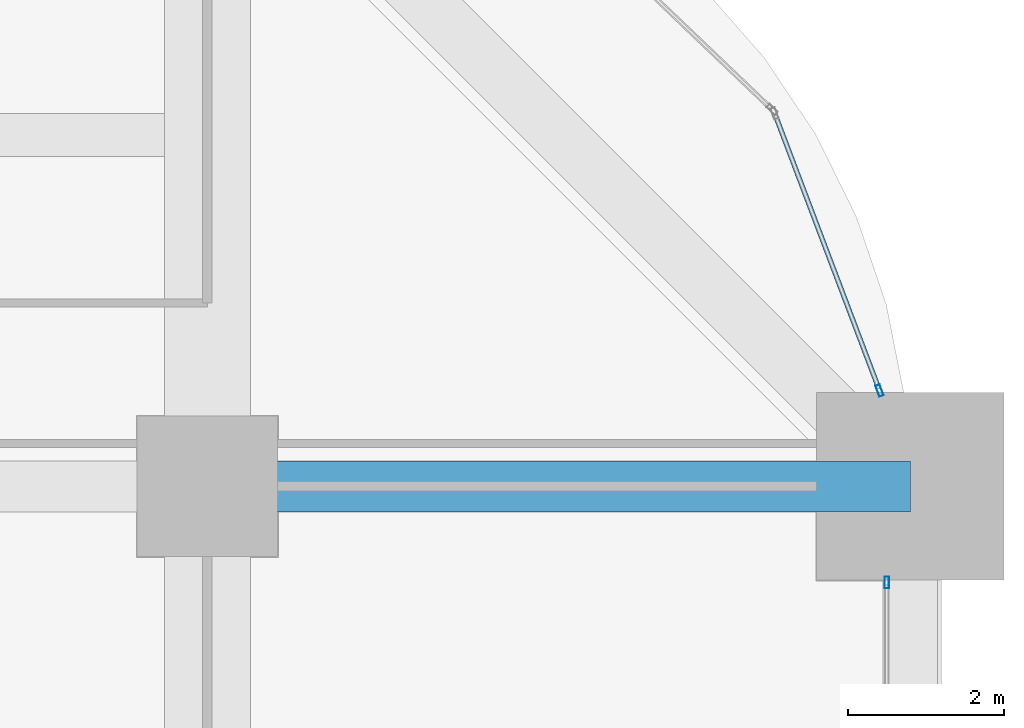
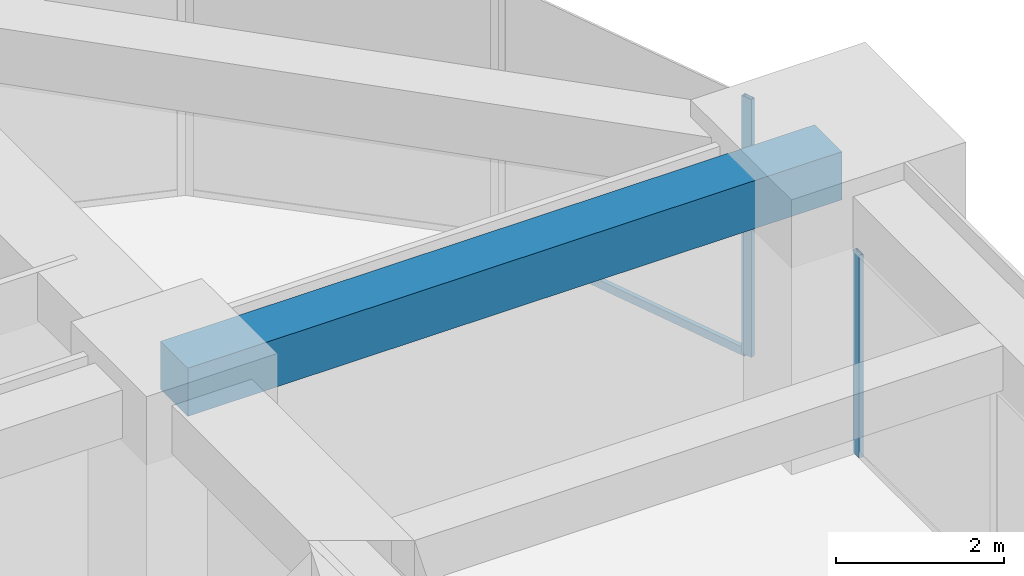
# One storey, part 32 of 40: 3 members, 1 beam, 2 elements without a shape of their own.
"""IFC4 building model written with IfcOpenShell, lengths in metres."""

from ifc_helpers import new_model, si_unit, direction, frame, origin, origin_2d, place, context, subcontext, project, spatial, rectangle, hollow_rectangle, extrude, material, material_profile, profile_set, type_object, element, aggregate, save


model = new_model("IFC4")

# Units and contexts
model_context = context("Model", 3, precision=1e-05, world=origin(), true_north=direction((0.0, 1.0)))
body_context = subcontext(model_context, "Body", "Model", "MODEL_VIEW")
ifc_project = project(units=[si_unit("LENGTHUNIT", "METRE"), si_unit("AREAUNIT", "SQUARE_METRE"), si_unit("VOLUMEUNIT", "CUBIC_METRE"), si_unit("PLANEANGLEUNIT", "RADIAN"), si_unit("MASSUNIT", "GRAM", prefix="KILO")], contexts=[model_context])

# Site, building, storey
site_placement = place(None, origin())
site = spatial("IfcSite", under=ifc_project, at=site_placement, CompositionType="ELEMENT")
building_placement = place(site_placement, origin())
building = spatial("IfcBuilding", under=site, at=building_placement, Name="Zorevar Civic Tower", CompositionType="ELEMENT")
storey_placement = place(building_placement, frame((0.0, 0.0, 133.0)))
storey = spatial("IfcBuildingStorey", under=building, at=storey_placement, Name="L32", CompositionType="ELEMENT", Elevation=133.0)

# Beam
ifc_material_1 = material(Name="Concrete C50/60", Category="concrete")
ifc_material_profile_1 = material_profile(ifc_material_1, rectangle(XDim=0.64990234375, YDim=0.699951171875, at=origin_2d()), Name="RC 650x700")
ifc_profile_set_1 = profile_set([ifc_material_profile_1], Name="Concrete C50/60")
beam_type = type_object("IfcBeamType", Name="Beam RC 650x700", PredefinedType="BEAM", material=ifc_profile_set_1)
beam_placement = place(storey_placement, frame((54.0, 36.0, 3.39990234375), z_axis=(1.0, 0.0, 0.0), x_axis=(0.0, 1.0, 0.0)))
element("IfcBeam", 1, at=beam_placement, inside=storey, type_object=beam_type, Name="Girder L33", PredefinedType="BEAM", context=body_context, shape_type="SweptSolid", body=[
    extrude(rectangle(XDim=0.64990234375, YDim=0.699951171875, at=origin_2d()), origin(), (0.0, 0.0, 1.0), 9.0),
])

# Curtain wall, member
ifc_material_2 = material(Name="Dark grey solar-control glass in black aluminium frame", Category="aluminium")
curtain_wall_type = type_object("IfcCurtainWallType", Name="Curtain wall CW3 mid zone", PredefinedType="NOTDEFINED", material=ifc_material_2)
curtain_wall_1_placement = place(storey_placement, origin())
curtain_wall_1 = element("IfcCurtainWall", 2, at=curtain_wall_1_placement, inside=storey, type_object=curtain_wall_type, Name="CW3 L32", PredefinedType="NOTDEFINED")
ifc_material_3 = material(Name="Aluminium, black anodised", Category="aluminium")
ifc_material_profile_2 = material_profile(ifc_material_3, hollow_rectangle(XDim=0.06005859375, YDim=0.14990234375, WallThickness=0.00390625, at=origin_2d()), Name="AL 150x60x4")
ifc_profile_set_2 = profile_set([ifc_material_profile_2], Name="Aluminium, black anodised")
member_type_1 = type_object("IfcMemberType", Name="CW3 mullion AL 150x60x4", PredefinedType="MULLION", material=ifc_profile_set_2)
member_1_placement = place(storey_placement, frame((62.699951171875, 34.77001953125, 0.0), z_axis=(0.0, 0.0, 1.0), x_axis=(-1.0, 0.0, 0.0)))
member_1 = element("IfcMember", 3, at=member_1_placement, type_object=member_type_1, Name="CW3 mullion 3", PredefinedType="MULLION", context=body_context, shape_type="SweptSolid", body=[
    extrude(hollow_rectangle(XDim=0.06005859375, YDim=0.14990234375, WallThickness=0.00390625, at=origin_2d()), origin(), (0.0, 0.0, 1.0), 2.949951171875),
])
aggregate(curtain_wall_1, [member_1])

# Curtain wall, members
curtain_wall_2_placement = place(storey_placement, origin())
curtain_wall_2 = element("IfcCurtainWall", 4, at=curtain_wall_2_placement, inside=storey, type_object=curtain_wall_type, Name="CW3 L32", PredefinedType="NOTDEFINED")
member_2_placement = place(storey_placement, frame((62.606201171875, 37.22802734375, 0.0), z_axis=(0.0, 0.0, 1.0), x_axis=(-0.935276561184, -0.353917722218, 0.0)))
member_2 = element("IfcMember", 5, at=member_2_placement, type_object=member_type_1, Name="CW3 mullion 1", PredefinedType="MULLION", context=body_context, shape_type="SweptSolid", body=[
    extrude(hollow_rectangle(XDim=0.06005859375, YDim=0.14990234375, WallThickness=0.00390625, at=origin_2d()), origin(), (0.0, 0.0, 1.0), 3.75),
])
ifc_material_4 = material(Name="Aluminium, black anodised", Category="aluminium")
ifc_material_profile_3 = material_profile(ifc_material_4, hollow_rectangle(XDim=0.06005859375, YDim=0.1201171875, WallThickness=0.0029296875, at=origin_2d()), Name="AL 120x60x3")
ifc_profile_set_3 = profile_set([ifc_material_profile_3], Name="Aluminium, black anodised")
member_type_2 = type_object("IfcMemberType", Name="CW3 transom AL 120x60x3", PredefinedType="USERDEFINED", material=ifc_profile_set_3)
member_3_placement = place(storey_placement, frame((62.595458984375, 37.256103515625, 0.030029296875), z_axis=(-0.353923007857, 0.93527456103, 0.0), x_axis=(-0.93527456103, -0.353923007857, 0.0)))
member_3 = element("IfcMember", 6, at=member_3_placement, type_object=member_type_2, Name="CW3 sill transom", ObjectType="TRANSOM", PredefinedType="USERDEFINED", context=body_context, shape_type="SweptSolid", body=[
    extrude(hollow_rectangle(XDim=0.06005859375, YDim=0.1201171875, WallThickness=0.0029296875, at=origin_2d()), origin(), (0.0, 0.0, 1.0), 3.734619140625),
])
aggregate(curtain_wall_2, [member_2, member_3])

save(model, "model.ifc")
